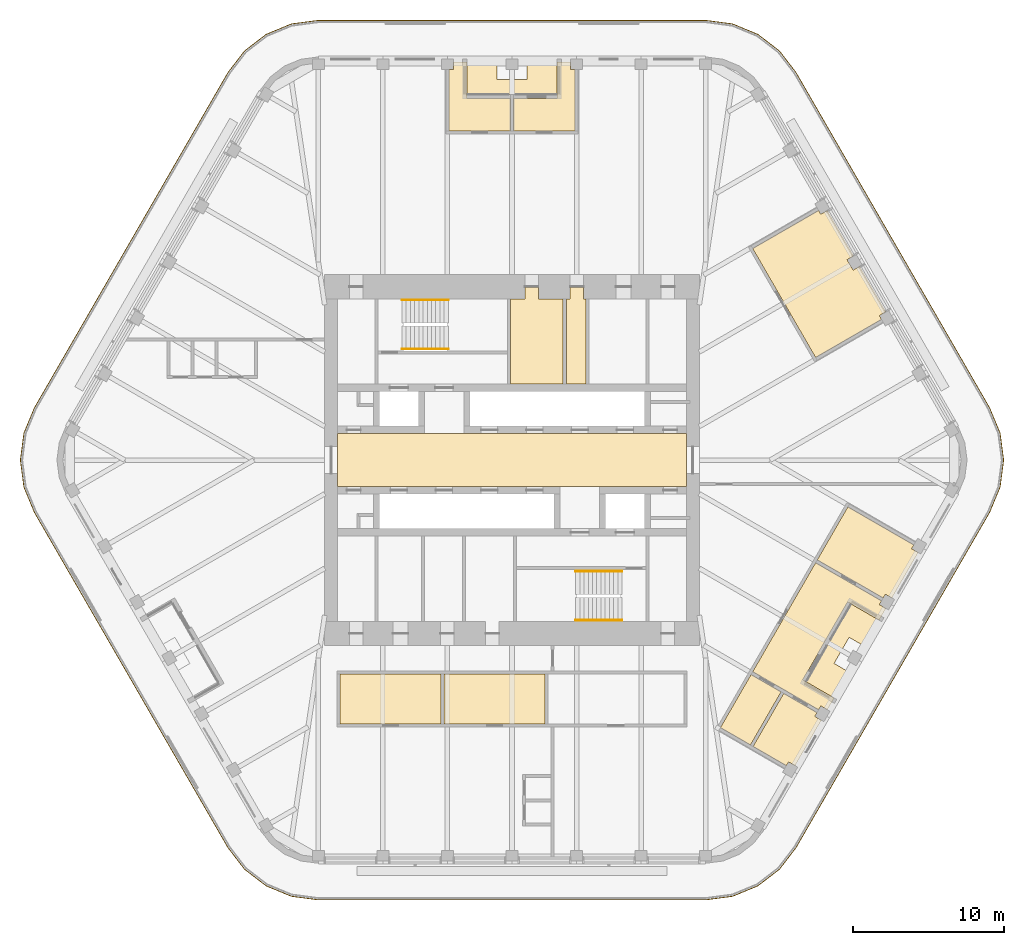
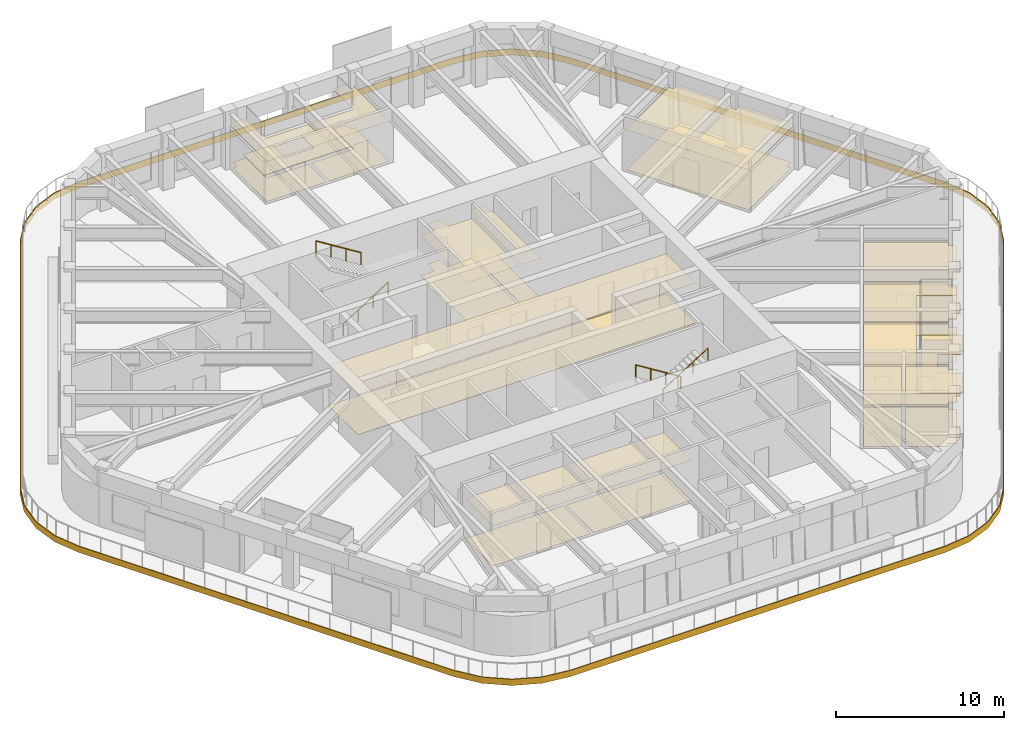
# One storey, part 19 of 20: 11 coverings, 4 railings.
"""IFC4 building model written with IfcOpenShell, lengths in metres."""

from ifc_helpers import new_model, si_unit, direction, frame, origin, origin_2d, place, context, subcontext, project, spatial, polyline, circle, outline, extrude, material, layer, layer_set, type_object, element, save


model = new_model("IFC4")

# Units and contexts
model_context = context("Model", 3, precision=1e-05, world=origin(), true_north=direction((0.0, 1.0)))
body_context = subcontext(model_context, "Body", "Model", "MODEL_VIEW")
ifc_project = project(units=[si_unit("LENGTHUNIT", "METRE"), si_unit("AREAUNIT", "SQUARE_METRE"), si_unit("VOLUMEUNIT", "CUBIC_METRE"), si_unit("PLANEANGLEUNIT", "RADIAN"), si_unit("MASSUNIT", "GRAM", prefix="KILO")], contexts=[model_context])

# Site, building, storey
site_placement = place(None, origin())
site = spatial("IfcSite", under=ifc_project, at=site_placement, CompositionType="ELEMENT")
building_placement = place(site_placement, origin())
building = spatial("IfcBuilding", under=site, at=building_placement, Name="Tarfa Lantern Tower", CompositionType="ELEMENT")
storey_placement = place(building_placement, frame((0.0, 0.0, 378.699951171875)))
storey = spatial("IfcBuildingStorey", under=building, at=storey_placement, Name="L86", CompositionType="ELEMENT", Elevation=378.699951171875)

# Coverings
ifc_material_1 = material(Name="Mineral fibre acoustic tile on suspension grid", Category="finish")
ifc_layer_1 = layer(ifc_material_1, 0.02001953125)
ifc_layer_set_1 = layer_set([ifc_layer_1], Name="CL1 ACOUSTIC TILE CEILING 20")
covering_type_1 = type_object("IfcCoveringType", Name="CL1 ACOUSTIC TILE CEILING 20", PredefinedType="CEILING", material=ifc_layer_set_1)
covering_1_placement = place(storey_placement, frame((0.0, 0.0, 2.900146484375)))
element("IfcCovering", 1, at=covering_1_placement, inside=storey, type_object=covering_type_1, Name="Ceiling L86 CL1", PredefinedType="CEILING", context=body_context, shape_type="SweptSolid", body=[
    extrude(outline(polyline([(-4.5, -14.199951171875), (2.199951171875, -14.199951171875), (2.199951171875, -17.5), (-4.5, -17.5), (-4.5, -14.199951171875)])), origin(), (0.0, 0.0, 1.0), 0.02001953125),
    extrude(outline(polyline([(-11.39990234375, -14.199951171875), (-4.699951171875, -14.199951171875), (-4.699951171875, -17.5), (-11.39990234375, -17.5), (-11.39990234375, -14.199951171875)])), origin(), (0.0, 0.0, 1.0), 0.02001953125),
    extrude(outline(polyline([(4.18212890625, 21.85009765625), (0.10009765625, 21.85009765625), (0.10009765625, 24.0), (2.98193359375, 24.0), (2.98193359375, 26.39990234375), (3.882080078125, 26.39990234375), (3.882080078125, 25.89990234375), (4.18212890625, 25.89990234375), (4.18212890625, 21.85009765625)])), origin(), (0.0, 0.0, 1.0), 0.02001953125),
    extrude(outline(polyline([(-2.98193359375, 24.0), (-0.10009765625, 24.0), (-0.10009765625, 21.85009765625), (-4.18212890625, 21.85009765625), (-4.18212890625, 25.89990234375), (-3.882080078125, 25.89990234375), (-3.882080078125, 26.39990234375), (-2.98193359375, 26.39990234375), (-2.98193359375, 24.0)])), origin(), (0.0, 0.0, 1.0), 0.02001953125),
    extrude(outline(polyline([(15.965576171875, 14.046630859375), (20.339111328125, 16.57177734375), (20.489013671875, 16.31201171875), (20.922119140625, 16.56201171875), (22.6630859375, 13.54638671875), (22.22998046875, 13.29638671875), (22.630126953125, 12.603515625), (23.06298828125, 12.853515625), (24.80419921875, 9.838134765625), (24.37109375, 9.588134765625), (24.52099609375, 9.328369140625), (20.147705078125, 6.80322265625), (15.965576171875, 14.046630859375)])), origin(), (0.0, 0.0, 1.0), 0.02001953125),
    extrude(outline(polyline([(15.98974609375, -19.005126953125), (18.03076171875, -15.469970703125), (20.239013671875, -16.744873046875), (20.089111328125, -17.004638671875), (20.52197265625, -17.254638671875), (18.781005859375, -20.270263671875), (18.34814453125, -20.020263671875), (18.197998046875, -20.280029296875), (15.98974609375, -19.005126953125)])), origin(), (0.0, 0.0, 1.0), 0.02001953125),
    extrude(outline(polyline([(20.147705078125, -6.80322265625), (24.52099609375, -9.328369140625), (24.37109375, -9.588134765625), (24.80419921875, -9.838134765625), (24.35400390625, -10.617431640625), (22.275634765625, -9.41748046875), (19.293701171875, -14.58251953125), (21.3720703125, -15.782470703125), (20.922119140625, -16.56201171875), (20.489013671875, -16.31201171875), (20.339111328125, -16.57177734375), (15.965576171875, -14.046630859375), (20.147705078125, -6.80322265625)])), origin(), (0.0, 0.0, 1.0), 0.02001953125),
    extrude(outline(polyline([(15.86572265625, -14.219970703125), (17.857421875, -15.369873046875), (15.81640625, -18.905029296875), (13.82470703125, -17.755126953125), (15.86572265625, -14.219970703125)])), origin(), (0.0, 0.0, 1.0), 0.02001953125),
    extrude(outline(polyline([(22.28857421875, -3.094970703125), (26.662109375, -5.619873046875), (26.511962890625, -5.879638671875), (26.945068359375, -6.129638671875), (25.2041015625, -9.145263671875), (24.77099609375, -8.895263671875), (24.62109375, -9.155029296875), (20.24755859375, -6.630126953125), (22.28857421875, -3.094970703125)])), origin(), (0.0, 0.0, 1.0), 0.02001953125),
])
ifc_material_2 = material(Name="Moisture-resistant plasterboard", Category="finish")
ifc_layer_2 = layer(ifc_material_2, 0.014892578125)
ifc_layer_set_2 = layer_set([ifc_layer_2], Name="CL2 MOISTURE-RESISTANT PLASTERBOARD CEILING 15")
covering_type_2 = type_object("IfcCoveringType", Name="CL2 MOISTURE-RESISTANT PLASTERBOARD CEILING 15", PredefinedType="CEILING", material=ifc_layer_set_2)
covering_2_placement = place(storey_placement, frame((0.0, 0.0, 2.900146484375)))
element("IfcCovering", 2, at=covering_2_placement, inside=storey, type_object=covering_type_2, Name="Ceiling L86-05", PredefinedType="CEILING", context=body_context, shape_type="SweptSolid", body=[
    extrude(outline(polyline([(0.85009765625, 10.699951171875), (-0.10009765625, 10.699951171875), (-0.10009765625, 5.050048828125), (3.39990234375, 5.050048828125), (3.39990234375, 10.699951171875), (1.75, 10.699951171875), (1.75, 11.5), (0.85009765625, 11.5), (0.85009765625, 11.5), (0.85009765625, 10.699951171875)])), origin(), (0.0, 0.0, 1.0), 0.014892578125),
])
covering_3_placement = place(storey_placement, frame((0.0, 0.0, 2.900146484375)))
element("IfcCovering", 3, at=covering_3_placement, inside=storey, type_object=covering_type_2, Name="Ceiling L86-06", PredefinedType="CEILING", context=body_context, shape_type="SweptSolid", body=[
    extrude(outline(polyline([(3.60009765625, 5.050048828125), (4.89990234375, 5.050048828125), (4.89990234375, 10.699951171875), (4.75, 10.699951171875), (4.75, 11.5), (3.85009765625, 11.5), (3.85009765625, 10.699951171875), (3.60009765625, 10.699951171875), (3.60009765625, 5.050048828125)])), origin(), (0.0, 0.0, 1.0), 0.014892578125),
])
ifc_material_3 = material(Name="Powder-coated aluminium panel", Category="aluminium")
ifc_layer_3 = layer(ifc_material_3, 0.030029296875)
ifc_layer_set_3 = layer_set([ifc_layer_3], Name="CL3 METAL PANEL CEILING 30")
covering_type_3 = type_object("IfcCoveringType", Name="CL3 METAL PANEL CEILING 30", PredefinedType="CEILING", material=ifc_layer_set_3)
covering_4_placement = place(storey_placement, frame((0.0, 0.0, 2.900146484375)))
element("IfcCovering", 4, at=covering_4_placement, inside=storey, type_object=covering_type_3, Name="Ceiling L86-01", PredefinedType="CEILING", context=body_context, shape_type="SweptSolid", body=[
    extrude(outline(polyline([(-11.574951171875, -1.75), (11.574951171875, -1.75), (11.574951171875, 1.75), (-11.574951171875, 1.75), (-11.574951171875, -1.75)])), origin(), (0.0, 0.0, 1.0), 0.02978515625),
])
ifc_material_4 = material(Name="Nylon carpet tile", Category="finish")
ifc_layer_4 = layer(ifc_material_4, 0.010009765625)
ifc_layer_set_4 = layer_set([ifc_layer_4], Name="FL1 CARPET TILE 10")
covering_type_4 = type_object("IfcCoveringType", Name="FL1 CARPET TILE 10", PredefinedType="FLOORING", material=ifc_layer_set_4)
covering_5_placement = place(storey_placement, origin())
element("IfcCovering", 5, at=covering_5_placement, inside=storey, type_object=covering_type_4, Name="Floor finish L86 FL1", PredefinedType="FLOORING", context=body_context, shape_type="SweptSolid", body=[
    extrude(outline(polyline([(-4.5, -14.199951171875), (2.199951171875, -14.199951171875), (2.199951171875, -17.5), (-4.5, -17.5), (-4.5, -14.199951171875)])), origin(), (0.0, 0.0, 1.0), 0.010009765625),
    extrude(outline(polyline([(-11.39990234375, -14.199951171875), (-4.699951171875, -14.199951171875), (-4.699951171875, -17.5), (-11.39990234375, -17.5), (-11.39990234375, -14.199951171875)])), origin(), (0.0, 0.0, 1.0), 0.010009765625),
    extrude(outline(polyline([(4.18212890625, 21.85009765625), (0.10009765625, 21.85009765625), (0.10009765625, 24.0), (2.98193359375, 24.0), (2.98193359375, 26.39990234375), (3.882080078125, 26.39990234375), (3.882080078125, 25.89990234375), (4.18212890625, 25.89990234375), (4.18212890625, 21.85009765625)])), origin(), (0.0, 0.0, 1.0), 0.010009765625),
    extrude(outline(polyline([(-2.98193359375, 24.0), (-0.10009765625, 24.0), (-0.10009765625, 21.85009765625), (-4.18212890625, 21.85009765625), (-4.18212890625, 25.89990234375), (-3.882080078125, 25.89990234375), (-3.882080078125, 26.39990234375), (-2.98193359375, 26.39990234375), (-2.98193359375, 24.0)])), origin(), (0.0, 0.0, 1.0), 0.010009765625),
    extrude(outline(polyline([(15.965576171875, 14.046630859375), (20.339111328125, 16.57177734375), (20.489013671875, 16.31201171875), (20.922119140625, 16.56201171875), (22.6630859375, 13.54638671875), (22.22998046875, 13.29638671875), (22.630126953125, 12.603515625), (23.06298828125, 12.853515625), (24.80419921875, 9.838134765625), (24.37109375, 9.588134765625), (24.52099609375, 9.328369140625), (20.147705078125, 6.80322265625), (15.965576171875, 14.046630859375)])), origin(), (0.0, 0.0, 1.0), 0.010009765625),
    extrude(outline(polyline([(15.98974609375, -19.005126953125), (18.03076171875, -15.469970703125), (20.239013671875, -16.744873046875), (20.089111328125, -17.004638671875), (20.52197265625, -17.254638671875), (18.781005859375, -20.270263671875), (18.34814453125, -20.020263671875), (18.197998046875, -20.280029296875), (15.98974609375, -19.005126953125)])), origin(), (0.0, 0.0, 1.0), 0.010009765625),
    extrude(outline(polyline([(20.147705078125, -6.80322265625), (24.52099609375, -9.328369140625), (24.37109375, -9.588134765625), (24.80419921875, -9.838134765625), (24.35400390625, -10.617431640625), (22.275634765625, -9.41748046875), (19.293701171875, -14.58251953125), (21.3720703125, -15.782470703125), (20.922119140625, -16.56201171875), (20.489013671875, -16.31201171875), (20.339111328125, -16.57177734375), (15.965576171875, -14.046630859375), (20.147705078125, -6.80322265625)])), origin(), (0.0, 0.0, 1.0), 0.010009765625),
    extrude(outline(polyline([(15.86572265625, -14.219970703125), (17.857421875, -15.369873046875), (15.81640625, -18.905029296875), (13.82470703125, -17.755126953125), (15.86572265625, -14.219970703125)])), origin(), (0.0, 0.0, 1.0), 0.010009765625),
    extrude(outline(polyline([(22.28857421875, -3.094970703125), (26.662109375, -5.619873046875), (26.511962890625, -5.879638671875), (26.945068359375, -6.129638671875), (25.2041015625, -9.145263671875), (24.77099609375, -8.895263671875), (24.62109375, -9.155029296875), (20.24755859375, -6.630126953125), (22.28857421875, -3.094970703125)])), origin(), (0.0, 0.0, 1.0), 0.010009765625),
])
ifc_material_5 = material(Name="Honed limestone flooring", Category="masonry")
ifc_layer_5 = layer(ifc_material_5, 0.030029296875)
ifc_layer_set_5 = layer_set([ifc_layer_5], Name="FL2 STONE FLOORING 30")
covering_type_5 = type_object("IfcCoveringType", Name="FL2 STONE FLOORING 30", PredefinedType="FLOORING", material=ifc_layer_set_5)
covering_6_placement = place(storey_placement, origin())
element("IfcCovering", 6, at=covering_6_placement, inside=storey, type_object=covering_type_5, Name="Floor finish L86-01", PredefinedType="FLOORING", context=body_context, shape_type="SweptSolid", body=[
    extrude(outline(polyline([(-11.574951171875, -1.75), (11.574951171875, -1.75), (11.574951171875, 1.75), (-11.574951171875, 1.75), (-11.574951171875, -1.75)])), origin(), (0.0, 0.0, 1.0), 0.030029296875),
])
ifc_material_6 = material(Name="Porcelain floor tile", Category="finish")
ifc_layer_6 = layer(ifc_material_6, 0.011962890625)
ifc_layer_set_6 = layer_set([ifc_layer_6], Name="FL3 CERAMIC TILE 12")
covering_type_6 = type_object("IfcCoveringType", Name="FL3 CERAMIC TILE 12", PredefinedType="FLOORING", material=ifc_layer_set_6)
covering_7_placement = place(storey_placement, origin())
element("IfcCovering", 7, at=covering_7_placement, inside=storey, type_object=covering_type_6, Name="Floor finish L86-05", PredefinedType="FLOORING", context=body_context, shape_type="SweptSolid", body=[
    extrude(outline(polyline([(0.85009765625, 10.699951171875), (-0.10009765625, 10.699951171875), (-0.10009765625, 5.050048828125), (3.39990234375, 5.050048828125), (3.39990234375, 10.699951171875), (1.75, 10.699951171875), (1.75, 11.5), (0.85009765625, 11.5), (0.85009765625, 11.5), (0.85009765625, 10.699951171875)])), origin(), (0.0, 0.0, 1.0), 0.011962890625),
])
covering_8_placement = place(storey_placement, origin())
element("IfcCovering", 8, at=covering_8_placement, inside=storey, type_object=covering_type_6, Name="Floor finish L86-06", PredefinedType="FLOORING", context=body_context, shape_type="SweptSolid", body=[
    extrude(outline(polyline([(3.60009765625, 5.050048828125), (4.89990234375, 5.050048828125), (4.89990234375, 10.699951171875), (4.75, 10.699951171875), (4.75, 11.5), (3.85009765625, 11.5), (3.85009765625, 10.699951171875), (3.60009765625, 10.699951171875), (3.60009765625, 5.050048828125)])), origin(), (0.0, 0.0, 1.0), 0.011962890625),
])

# Railings
ifc_material_7 = material(Name="Stainless steel", Category="steel")
railing_type = type_object("IfcRailingType", Name="HR1 HANDRAIL 900", PredefinedType="HANDRAIL", material=ifc_material_7)
railing_1_placement = place(storey_placement, frame((-7.300048828125, 7.3798828125, 0.175048828125)))
element("IfcRailing", 9, at=railing_1_placement, inside=storey, type_object=railing_type, Name="Handrail 1", PredefinedType="HANDRAIL", context=body_context, shape_type="SweptSolid", body=[
    extrude(circle(Radius=0.02392578125, at=origin_2d()), frame((0.0, 0.0, 0.8759765625), z_axis=(0.847998304005, 0.0, 0.529998940003), x_axis=(0.0, 1.0, 0.0)), (0.0, 0.0, 1.0), 3.632080078125),
    extrude(circle(Radius=0.02099609375, at=origin_2d()), frame((0.0, 0.0, 0.0), z_axis=(0.0, 0.0, 1.0), x_axis=(0.0, 1.0, 0.0)), (0.0, 0.0, 1.0), 0.851806640625),
    extrude(circle(Radius=0.02099609375, at=origin_2d()), frame((1.026611328125, 0.0, 0.6416015625), z_axis=(0.0, 0.0, 1.0), x_axis=(0.0, 1.0, 0.0)), (0.0, 0.0, 1.0), 0.851806640625),
    extrude(circle(Radius=0.02099609375, at=origin_2d()), frame((2.053466796875, 0.0, 1.283447265625), z_axis=(0.0, 0.0, 1.0), x_axis=(0.0, 1.0, 0.0)), (0.0, 0.0, 1.0), 0.851806640625),
    extrude(circle(Radius=0.02099609375, at=origin_2d()), frame((3.080078125, 0.0, 1.925048828125), z_axis=(0.0, 0.0, 1.0), x_axis=(0.0, 1.0, 0.0)), (0.0, 0.0, 1.0), 0.851806640625),
])
railing_2_placement = place(storey_placement, frame((-4.219970703125, 10.6201171875, 2.275146484375)))
element("IfcRailing", 10, at=railing_2_placement, inside=storey, type_object=railing_type, Name="Handrail 2", PredefinedType="HANDRAIL", context=body_context, shape_type="SweptSolid", body=[
    extrude(circle(Radius=0.02392578125, at=origin_2d()), frame((0.0, 0.0, 0.8759765625), z_axis=(-0.848028513186, 0.0, 0.529950602248), x_axis=(0.0, -1.0, 0.0)), (0.0, 0.0, 1.0), 3.632080078125),
    extrude(circle(Radius=0.02099609375, at=origin_2d()), frame((0.0, 0.0, 0.0), z_axis=(0.0, 0.0, 1.0), x_axis=(0.0, -1.0, 0.0)), (0.0, 0.0, 1.0), 0.851806640625),
    extrude(circle(Radius=0.02099609375, at=origin_2d()), frame((-1.026611328125, 0.0, 0.6416015625), z_axis=(0.0, 0.0, 1.0), x_axis=(0.0, -1.0, 0.0)), (0.0, 0.0, 1.0), 0.851806640625),
    extrude(circle(Radius=0.02099609375, at=origin_2d()), frame((-2.053466796875, 0.0, 1.283203125), z_axis=(0.0, 0.0, 1.0), x_axis=(0.0, -1.0, 0.0)), (0.0, 0.0, 1.0), 0.851806640625),
    extrude(circle(Radius=0.02099609375, at=origin_2d()), frame((-3.080078125, 0.0, 1.9248046875), z_axis=(0.0, 0.0, 1.0), x_axis=(0.0, -1.0, 0.0)), (0.0, 0.0, 1.0), 0.851806640625),
])
railing_3_placement = place(storey_placement, frame((7.300048828125, -7.3798828125, 0.175048828125)))
element("IfcRailing", 11, at=railing_3_placement, inside=storey, type_object=railing_type, Name="Handrail 1", PredefinedType="HANDRAIL", context=body_context, shape_type="SweptSolid", body=[
    extrude(circle(Radius=0.02392578125, at=origin_2d()), frame((0.0, 0.0, 0.8759765625), z_axis=(-0.847998304005, 0.0, 0.529998940003), x_axis=(0.0, -1.0, 0.0)), (0.0, 0.0, 1.0), 3.632080078125),
    extrude(circle(Radius=0.02099609375, at=origin_2d()), frame((0.0, 0.0, 0.0), z_axis=(0.0, 0.0, 1.0), x_axis=(0.0, -1.0, 0.0)), (0.0, 0.0, 1.0), 0.851806640625),
    extrude(circle(Radius=0.02099609375, at=origin_2d()), frame((-1.026611328125, 0.0, 0.6416015625), z_axis=(0.0, 0.0, 1.0), x_axis=(0.0, -1.0, 0.0)), (0.0, 0.0, 1.0), 0.851806640625),
    extrude(circle(Radius=0.02099609375, at=origin_2d()), frame((-2.053466796875, 0.0, 1.283447265625), z_axis=(0.0, 0.0, 1.0), x_axis=(0.0, -1.0, 0.0)), (0.0, 0.0, 1.0), 0.851806640625),
    extrude(circle(Radius=0.02099609375, at=origin_2d()), frame((-3.080078125, 0.0, 1.925048828125), z_axis=(0.0, 0.0, 1.0), x_axis=(0.0, -1.0, 0.0)), (0.0, 0.0, 1.0), 0.851806640625),
])
railing_4_placement = place(storey_placement, frame((4.219970703125, -10.6201171875, 2.275146484375)))
element("IfcRailing", 12, at=railing_4_placement, inside=storey, type_object=railing_type, Name="Handrail 2", PredefinedType="HANDRAIL", context=body_context, shape_type="SweptSolid", body=[
    extrude(circle(Radius=0.02392578125, at=origin_2d()), frame((0.0, 0.0, 0.8759765625), z_axis=(0.848028513186, 0.0, 0.529950602248), x_axis=(0.0, 1.0, 0.0)), (0.0, 0.0, 1.0), 3.632080078125),
    extrude(circle(Radius=0.02099609375, at=origin_2d()), frame((0.0, 0.0, 0.0), z_axis=(0.0, 0.0, 1.0), x_axis=(0.0, 1.0, 0.0)), (0.0, 0.0, 1.0), 0.851806640625),
    extrude(circle(Radius=0.02099609375, at=origin_2d()), frame((1.026611328125, 0.0, 0.6416015625), z_axis=(0.0, 0.0, 1.0), x_axis=(0.0, 1.0, 0.0)), (0.0, 0.0, 1.0), 0.851806640625),
    extrude(circle(Radius=0.02099609375, at=origin_2d()), frame((2.053466796875, 0.0, 1.283203125), z_axis=(0.0, 0.0, 1.0), x_axis=(0.0, 1.0, 0.0)), (0.0, 0.0, 1.0), 0.851806640625),
    extrude(circle(Radius=0.02099609375, at=origin_2d()), frame((3.080078125, 0.0, 1.9248046875), z_axis=(0.0, 0.0, 1.0), x_axis=(0.0, 1.0, 0.0)), (0.0, 0.0, 1.0), 0.851806640625),
])

# Coverings
ifc_material_8 = material(Name="Porcelain pavers on pedestals", Category="ceramic")
ifc_layer_7 = layer(ifc_material_8, 0.0400390625)
ifc_layer_set_7 = layer_set([ifc_layer_7], Name="LP1 LOGGIA PAVING 40")
covering_type_7 = type_object("IfcCoveringType", Name="LP1 LOGGIA PAVING 40", PredefinedType="FLOORING", material=ifc_layer_set_7)
covering_9_placement = place(storey_placement, origin())
element("IfcCovering", 13, at=covering_9_placement, inside=storey, type_object=covering_type_7, Name="Terrace paving N", PredefinedType="FLOORING", context=body_context, shape_type="SweptSolid", body=[
    extrude(outline(polyline([(2.98193359375, 26.75), (2.98193359375, 24.27001953125), (-2.98193359375, 24.27001953125), (-2.98193359375, 26.75), (-1.0, 26.75), (-1.0, 25.25), (1.0, 25.25), (1.0, 26.75), (2.98193359375, 26.75)])), origin(), (0.0, 0.0, 1.0), 0.0400390625),
])
covering_10_placement = place(storey_placement, origin())
element("IfcCovering", 14, at=covering_10_placement, inside=storey, type_object=covering_type_7, Name="Terrace paving SE", PredefinedType="FLOORING", context=body_context, shape_type="SweptSolid", body=[
    extrude(outline(polyline([(21.67529296875, -15.95751953125), (19.52734375, -14.717529296875), (22.509521484375, -9.552490234375), (24.6572265625, -10.79248046875), (23.666259765625, -12.509033203125), (22.3671875, -11.759033203125), (21.3671875, -13.490966796875), (22.666259765625, -14.240966796875), (21.67529296875, -15.95751953125)])), origin(), (0.0, 0.0, 1.0), 0.0400390625),
])
ifc_material_9 = material(Name="Limestone cladding on brackets", Category="masonry")
ifc_layer_8 = layer(ifc_material_9, 0.050048828125)
ifc_layer_set_8 = layer_set([ifc_layer_8], Name="SB1 STONE BAND CLADDING 50")
covering_type_8 = type_object("IfcCoveringType", Name="SB1 STONE BAND CLADDING 50", PredefinedType="CLADDING", material=ifc_layer_set_8)
covering_11_placement = place(storey_placement, frame((0.0, 0.0, -0.39990234375)))
element("IfcCovering", 15, at=covering_11_placement, inside=storey, type_object=covering_type_8, Name="Stone band", PredefinedType="CLADDING", context=body_context, shape_type="SweptSolid", body=[
    extrude(outline(polyline([(31.7109375, 3.47509765625), (18.864990234375, 25.72509765625), (17.760498046875, 27.164306640625), (16.321044921875, 28.268798828125), (14.644775390625, 28.963134765625), (12.845947265625, 29.199951171875), (-12.845947265625, 29.199951171875), (-14.644775390625, 28.963134765625), (-16.321044921875, 28.268798828125), (-17.760498046875, 27.164306640625), (-18.864990234375, 25.72509765625), (-31.7109375, 3.47509765625), (-32.4052734375, 1.798828125), (-32.64208984375, 0.0), (-32.4052734375, -1.798828125), (-31.7109375, -3.47509765625), (-18.864990234375, -25.72509765625), (-17.760498046875, -27.164306640625), (-16.321044921875, -28.268798828125), (-14.644775390625, -28.963134765625), (-12.845947265625, -29.199951171875), (12.845947265625, -29.199951171875), (14.644775390625, -28.963134765625), (16.321044921875, -28.268798828125), (17.760498046875, -27.164306640625), (18.864990234375, -25.72509765625), (31.7109375, -3.47509765625), (32.4052734375, -1.798828125), (32.64208984375, 0.0), (32.4052734375, 1.798828125), (31.7109375, 3.47509765625)]), holes=[polyline([(31.667724609375, 3.449951171875), (18.821533203125, 25.699951171875), (17.72509765625, 27.129150390625), (16.296142578125, 28.2255859375), (14.6318359375, 28.914794921875), (12.845947265625, 29.14990234375), (-12.845947265625, 29.14990234375), (-14.6318359375, 28.914794921875), (-16.296142578125, 28.2255859375), (-17.72509765625, 27.129150390625), (-18.821533203125, 25.699951171875), (-31.667724609375, 3.449951171875), (-32.35693359375, 1.785888671875), (-32.592041015625, 0.0), (-32.35693359375, -1.785888671875), (-31.667724609375, -3.449951171875), (-18.821533203125, -25.699951171875), (-17.72509765625, -27.129150390625), (-16.296142578125, -28.2255859375), (-14.6318359375, -28.914794921875), (-12.845947265625, -29.14990234375), (12.845947265625, -29.14990234375), (14.6318359375, -28.914794921875), (16.296142578125, -28.2255859375), (17.72509765625, -27.129150390625), (18.821533203125, -25.699951171875), (31.667724609375, -3.449951171875), (32.35693359375, -1.785888671875), (32.592041015625, 0.0), (32.35693359375, 1.785888671875), (31.667724609375, 3.449951171875)])]), origin(), (0.0, 0.0, 1.0), 0.449951171875),
])

save(model, "model.ifc")
